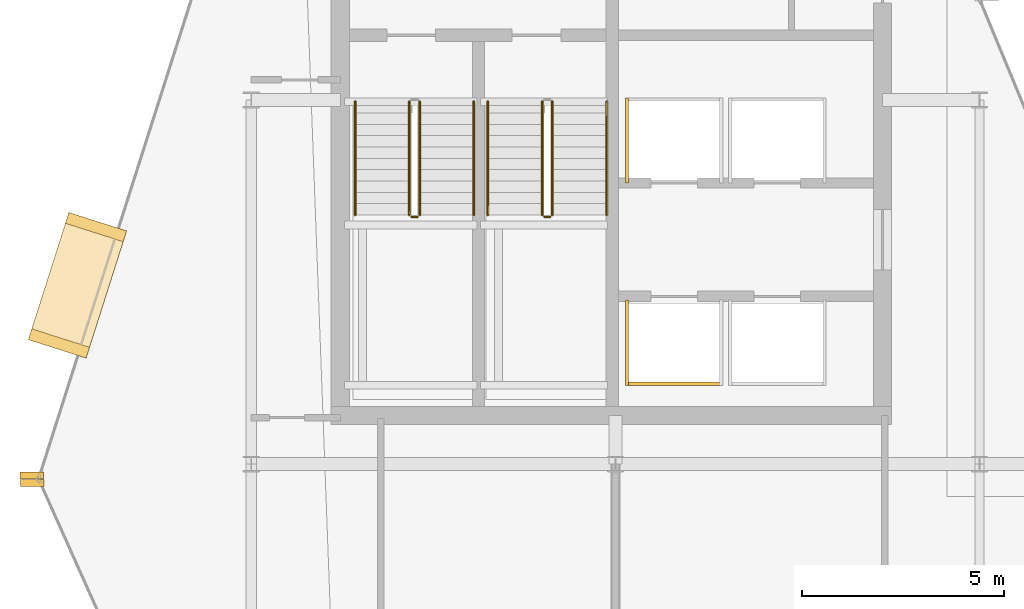
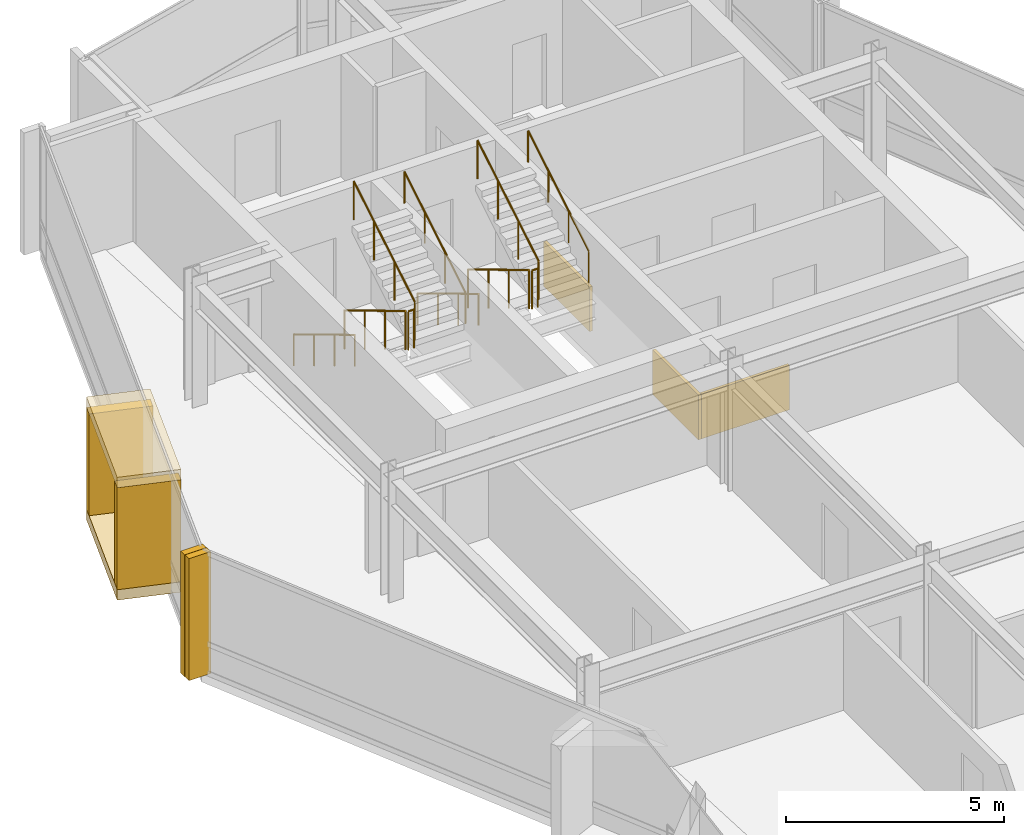
# One storey, part 17 of 19: 10 railings, 9 coverings.
"""IFC4 building model written with IfcOpenShell, lengths in metres."""

from ifc_helpers import new_model, si_unit, direction, frame, origin, origin_2d, place, context, subcontext, project, spatial, rectangle, circle, extrude, material, layer, layer_set, type_object, element, save


model = new_model("IFC4")

# Units and contexts
model_context = context("Model", 3, precision=1e-05, world=origin(), true_north=direction((0.0, 1.0)))
body_context = subcontext(model_context, "Body", "Model", "MODEL_VIEW")
ifc_project = project(units=[si_unit("LENGTHUNIT", "METRE"), si_unit("AREAUNIT", "SQUARE_METRE"), si_unit("VOLUMEUNIT", "CUBIC_METRE"), si_unit("PLANEANGLEUNIT", "RADIAN"), si_unit("MASSUNIT", "GRAM", prefix="KILO")], contexts=[model_context])

# Site, building, storey
site_placement = place(None, origin())
site = spatial("IfcSite", under=ifc_project, at=site_placement, CompositionType="ELEMENT")
building_placement = place(site_placement, origin())
building = spatial("IfcBuilding", under=site, at=building_placement, Name="Solvaryn Broadcast Tower", CompositionType="ELEMENT")
storey_placement = place(building_placement, frame((0.0, 0.0, 263.0)))
storey = spatial("IfcBuildingStorey", under=building, at=storey_placement, Name="L66", CompositionType="ELEMENT", Elevation=263.0)

# Coverings
ifc_material_1 = material(Name="Fire-Rated Gypsum Shaftwall Liner", Category="concrete")
ifc_layer_1 = layer(ifc_material_1, 0.080078125)
ifc_layer_set_1 = layer_set([ifc_layer_1], Name="CV-SHAFT-LINER")
covering_type_1 = type_object("IfcCoveringType", Name="CV-SHAFT-LINER", PredefinedType="CLADDING", material=ifc_layer_set_1)
covering_placement = place(storey_placement, frame((19.449951171875, 28.985107421875, 0.0), z_axis=(0.0, 0.0, 1.0), x_axis=(1.0, 0.0, 0.0)))
element("IfcCovering", 1, at=covering_placement, inside=storey, type_object=covering_type_1, Name="L66 PH1 Hoistway Shaft Liner South", PredefinedType="CLADDING", context=body_context, shape_type="SweptSolid", body=[
    extrude(rectangle(XDim=2.409912109375, YDim=0.080078125, at=origin_2d()), origin(), (0.0, 0.0, 1.0), 1.25),
])
for number, where, z_axis, x_axis, name in (
    (2, (18.284912109375, 30.0, 0.0), (0.0, 0.0, 1.0), (1.0, 0.0, 0.0), "L66 PH1 Hoistway Shaft Liner West"),
    (3, (18.284912109375, 35.0, 0.0), (0.0, 0.0, 1.0), (1.0, 0.0, 0.0), "L66 PH3 Hoistway Shaft Liner West"),
):
    element("IfcCovering", number, at=place(storey_placement, frame(where, z_axis=z_axis, x_axis=x_axis)), inside=storey, type_object=covering_type_1, Name=name, PredefinedType="CLADDING", context=body_context, shape_type="SweptSolid", body=[
        extrude(rectangle(XDim=0.080078125, YDim=2.110107421875, at=origin_2d()), origin(), (0.0, 0.0, 1.0), 1.25),
    ])
ifc_material_2 = material(Name="Glazed Architectural Terracotta Rainscreen Cladding", Category="masonry")
ifc_layer_2 = layer(ifc_material_2, 0.280029296875)
ifc_layer_set_2 = layer_set([ifc_layer_2], Name="CV-TC-CLAD")
covering_type_2 = type_object("IfcCoveringType", Name="CV-TC-CLAD", PredefinedType="CLADDING", material=ifc_layer_set_2)
for number, where, z_axis, x_axis, name in (
    (4, (4.7060546875, 31.4208984375, 3.1298828125), (0.0, 0.0, 1.0), (-0.303534206887, -0.952820541996, 0.0), "L66 Projecting Stone Window Box Hood 1"),
    (5, (4.7060546875, 31.4208984375, -0.01025390625), (0.0, 0.0, 1.0), (-0.303534206887, -0.952820541996, 0.0), "L66 Projecting Stone Window Box Sill 1"),
):
    element("IfcCovering", number, at=place(storey_placement, frame(where, z_axis=z_axis, x_axis=x_axis)), inside=storey, type_object=covering_type_2, Name=name, PredefinedType="CLADDING", context=body_context, shape_type="SweptSolid", body=[
        extrude(rectangle(XDim=3.300048828125, YDim=1.5, at=origin_2d()), origin(), (0.0, 0.0, 1.0), 0.300048828125),
    ])
for number, where, z_axis, x_axis, name in (
    (6, (5.164306640625, 32.85986328125, 0.27978515625), (0.0, 0.0, 1.0), (-0.303534206887, -0.952820541996, 0.0), "L66 Projecting Stone Window Box Cheek 1-1"),
    (7, (4.247802734375, 29.982177734375, 0.27978515625), (0.0, 0.0, 1.0), (-0.303534206887, -0.952820541996, 0.0), "L66 Projecting Stone Window Box Cheek 1-2"),
):
    element("IfcCovering", number, at=place(storey_placement, frame(where, z_axis=z_axis, x_axis=x_axis)), inside=storey, type_object=covering_type_2, Name=name, PredefinedType="CLADDING", context=body_context, shape_type="SweptSolid", body=[
        extrude(rectangle(XDim=0.280029296875, YDim=1.5, at=origin_2d()), origin(), (0.0, 0.0, 1.0), 2.860107421875),
    ])
ifc_material_3 = material(Name="Extruded Architectural Terracotta Fin", Category="masonry")
ifc_layer_3 = layer(ifc_material_3, 0.179931640625)
ifc_layer_set_3 = layer_set([ifc_layer_3], Name="CV-TC-FIN")
covering_type_3 = type_object("IfcCoveringType", Name="CV-TC-FIN", PredefinedType="USERDEFINED", material=ifc_layer_set_3)
for number, where, z_axis, x_axis, name in (
    (8, (3.575439453125, 26.71923828125, 0.0), (0.0, 0.0, 1.0), (1.0, 0.0, 0.0), "L66 Terracotta Vertical Fin FIN-L66-DR1-M01"),
    (9, (3.5859375, 26.53515625, 0.0), (0.0, 0.0, 1.0), (1.0, 0.0, 0.0), "L66 Terracotta Vertical Fin FIN-L66-DR2-M00"),
):
    element("IfcCovering", number, at=place(storey_placement, frame(where, z_axis=z_axis, x_axis=x_axis)), inside=storey, type_object=covering_type_3, Name=name, ObjectType="FIN", PredefinedType="USERDEFINED", context=body_context, shape_type="SweptSolid", body=[
        extrude(rectangle(XDim=0.580078125, YDim=0.179931640625, at=origin_2d()), origin(), (0.0, 0.0, 1.0), 3.419921875),
    ])

# Railings
ifc_material_4 = material(Name="Painted Steel Stair Well Guard", Category="steel")
railing_type_1 = type_object("IfcRailingType", Name="RL-STAIR-GUARD", PredefinedType="BALUSTRADE", material=ifc_material_4)
railing_1_placement = place(storey_placement, frame((12.909912109375, 35.9599609375, 0.168212890625)))
element("IfcRailing", 10, at=railing_1_placement, inside=storey, type_object=railing_type_1, Name="L66 ST1 stair guard 1", PredefinedType="BALUSTRADE", context=body_context, shape_type="SweptSolid", body=[
    extrude(circle(Radius=0.02392578125, at=origin_2d()), frame((0.0, 0.0, 1.076171875), z_axis=(0.0, -0.857242210791, 0.514913383045), x_axis=(1.0, 0.0, 0.0)), (0.0, 0.0, 1.0), 3.266357421875),
    extrude(circle(Radius=0.02099609375, at=origin_2d()), origin(), (0.0, 0.0, 1.0), 1.052001953125),
    extrude(circle(Radius=0.02099609375, at=origin_2d()), frame((0.0, -0.933349609375, 0.560546875)), (0.0, 0.0, 1.0), 1.052001953125),
    extrude(circle(Radius=0.02099609375, at=origin_2d()), frame((0.0, -1.86669921875, 1.121337890625)), (0.0, 0.0, 1.0), 1.052001953125),
    extrude(circle(Radius=0.02099609375, at=origin_2d()), frame((0.0, -2.800048828125, 1.681884765625)), (0.0, 0.0, 1.0), 1.052001953125),
])
railing_2_placement = place(storey_placement, frame((12.9599609375, 33.110107421875, 1.85009765625)))
element("IfcRailing", 11, at=railing_2_placement, inside=storey, type_object=railing_type_1, Name="L66 ST1 stair guard 2", PredefinedType="BALUSTRADE", context=body_context, shape_type="SweptSolid", body=[
    extrude(circle(Radius=0.02392578125, at=origin_2d()), frame((0.0, 0.0, 1.076171875), z_axis=(1.0, 0.0, 0.0), x_axis=(0.0, 1.0, 0.0)), (0.0, 0.0, 1.0), 0.150146484375),
    extrude(circle(Radius=0.02099609375, at=origin_2d()), origin(), (0.0, 0.0, 1.0), 1.052001953125),
    extrude(circle(Radius=0.02099609375, at=origin_2d()), frame((0.150146484375, 0.0, 0.0)), (0.0, 0.0, 1.0), 1.052001953125),
])
railing_3_placement = place(storey_placement, frame((13.159912109375, 33.159912109375, 2.01806640625)))
element("IfcRailing", 12, at=railing_3_placement, inside=storey, type_object=railing_type_1, Name="L66 ST1 stair guard 3", PredefinedType="BALUSTRADE", context=body_context, shape_type="SweptSolid", body=[
    extrude(circle(Radius=0.02392578125, at=origin_2d()), frame((0.0, 0.0, 1.076171875), z_axis=(0.0, 0.857242210791, 0.514913383045), x_axis=(-1.0, 0.0, 0.0)), (0.0, 0.0, 1.0), 3.266357421875),
    extrude(circle(Radius=0.02099609375, at=origin_2d()), origin(), (0.0, 0.0, 1.0), 1.052001953125),
    extrude(circle(Radius=0.02099609375, at=origin_2d()), frame((0.0, 0.933349609375, 0.560546875)), (0.0, 0.0, 1.0), 1.052001953125),
    extrude(circle(Radius=0.02099609375, at=origin_2d()), frame((0.0, 1.86669921875, 1.121337890625)), (0.0, 0.0, 1.0), 1.052001953125),
    extrude(circle(Radius=0.02099609375, at=origin_2d()), frame((0.0, 2.800048828125, 1.681884765625)), (0.0, 0.0, 1.0), 1.052001953125),
])
railing_4_placement = place(storey_placement, frame((16.18994140625, 35.9599609375, 0.168212890625)))
element("IfcRailing", 13, at=railing_4_placement, inside=storey, type_object=railing_type_1, Name="L66 ST2 stair guard 1", PredefinedType="BALUSTRADE", context=body_context, shape_type="SweptSolid", body=[
    extrude(circle(Radius=0.02392578125, at=origin_2d()), frame((0.0, 0.0, 1.076171875), z_axis=(0.0, -0.857242210791, 0.514913383045), x_axis=(1.0, 0.0, 0.0)), (0.0, 0.0, 1.0), 3.266357421875),
    extrude(circle(Radius=0.02099609375, at=origin_2d()), origin(), (0.0, 0.0, 1.0), 1.052001953125),
    extrude(circle(Radius=0.02099609375, at=origin_2d()), frame((0.0, -0.933349609375, 0.560546875)), (0.0, 0.0, 1.0), 1.052001953125),
    extrude(circle(Radius=0.02099609375, at=origin_2d()), frame((0.0, -1.86669921875, 1.121337890625)), (0.0, 0.0, 1.0), 1.052001953125),
    extrude(circle(Radius=0.02099609375, at=origin_2d()), frame((0.0, -2.800048828125, 1.681884765625)), (0.0, 0.0, 1.0), 1.052001953125),
])
railing_5_placement = place(storey_placement, frame((16.239990234375, 33.110107421875, 1.85009765625)))
element("IfcRailing", 14, at=railing_5_placement, inside=storey, type_object=railing_type_1, Name="L66 ST2 stair guard 2", PredefinedType="BALUSTRADE", context=body_context, shape_type="SweptSolid", body=[
    extrude(circle(Radius=0.02392578125, at=origin_2d()), frame((0.0, 0.0, 1.076171875), z_axis=(1.0, 0.0, 0.0), x_axis=(0.0, 1.0, 0.0)), (0.0, 0.0, 1.0), 0.14990234375),
    extrude(circle(Radius=0.02099609375, at=origin_2d()), origin(), (0.0, 0.0, 1.0), 1.052001953125),
    extrude(circle(Radius=0.02099609375, at=origin_2d()), frame((0.14990234375, 0.0, 0.0)), (0.0, 0.0, 1.0), 1.052001953125),
])
railing_6_placement = place(storey_placement, frame((16.43994140625, 33.159912109375, 2.01806640625)))
element("IfcRailing", 15, at=railing_6_placement, inside=storey, type_object=railing_type_1, Name="L66 ST2 stair guard 3", PredefinedType="BALUSTRADE", context=body_context, shape_type="SweptSolid", body=[
    extrude(circle(Radius=0.02392578125, at=origin_2d()), frame((0.0, 0.0, 1.076171875), z_axis=(0.0, 0.857242210791, 0.514913383045), x_axis=(-1.0, 0.0, 0.0)), (0.0, 0.0, 1.0), 3.266357421875),
    extrude(circle(Radius=0.02099609375, at=origin_2d()), origin(), (0.0, 0.0, 1.0), 1.052001953125),
    extrude(circle(Radius=0.02099609375, at=origin_2d()), frame((0.0, 0.933349609375, 0.560546875)), (0.0, 0.0, 1.0), 1.052001953125),
    extrude(circle(Radius=0.02099609375, at=origin_2d()), frame((0.0, 1.86669921875, 1.121337890625)), (0.0, 0.0, 1.0), 1.052001953125),
    extrude(circle(Radius=0.02099609375, at=origin_2d()), frame((0.0, 2.800048828125, 1.681884765625)), (0.0, 0.0, 1.0), 1.052001953125),
])
ifc_material_5 = material(Name="Brushed Stainless Steel Tubular Handrail", Category="steel")
railing_type_2 = type_object("IfcRailingType", Name="RL-STAIR-HANDRAIL", PredefinedType="HANDRAIL", material=ifc_material_5)
railing_7_placement = place(storey_placement, frame((11.570068359375, 35.9599609375, 0.168212890625)))
element("IfcRailing", 16, at=railing_7_placement, inside=storey, type_object=railing_type_2, Name="L66 ST1 stair handrail 1", PredefinedType="HANDRAIL", context=body_context, shape_type="SweptSolid", body=[
    extrude(circle(Radius=0.02392578125, at=origin_2d()), frame((0.0, 0.0, 0.8759765625), z_axis=(0.0, -0.857242210791, 0.514913383045), x_axis=(1.0, 0.0, 0.0)), (0.0, 0.0, 1.0), 3.266357421875),
    extrude(circle(Radius=0.02099609375, at=origin_2d()), origin(), (0.0, 0.0, 1.0), 0.851806640625),
    extrude(circle(Radius=0.02099609375, at=origin_2d()), frame((0.0, -0.933349609375, 0.560546875)), (0.0, 0.0, 1.0), 0.851806640625),
    extrude(circle(Radius=0.02099609375, at=origin_2d()), frame((0.0, -1.86669921875, 1.121337890625)), (0.0, 0.0, 1.0), 0.851806640625),
    extrude(circle(Radius=0.02099609375, at=origin_2d()), frame((0.0, -2.800048828125, 1.681884765625)), (0.0, 0.0, 1.0), 0.851806640625),
])
railing_8_placement = place(storey_placement, frame((14.5, 33.159912109375, 2.01806640625)))
element("IfcRailing", 17, at=railing_8_placement, inside=storey, type_object=railing_type_2, Name="L66 ST1 stair handrail 2", PredefinedType="HANDRAIL", context=body_context, shape_type="SweptSolid", body=[
    extrude(circle(Radius=0.02392578125, at=origin_2d()), frame((0.0, 0.0, 0.8759765625), z_axis=(0.0, 0.857242210791, 0.514913383045), x_axis=(-1.0, 0.0, 0.0)), (0.0, 0.0, 1.0), 3.266357421875),
    extrude(circle(Radius=0.02099609375, at=origin_2d()), origin(), (0.0, 0.0, 1.0), 0.851806640625),
    extrude(circle(Radius=0.02099609375, at=origin_2d()), frame((0.0, 0.933349609375, 0.560546875)), (0.0, 0.0, 1.0), 0.851806640625),
    extrude(circle(Radius=0.02099609375, at=origin_2d()), frame((0.0, 1.86669921875, 1.121337890625)), (0.0, 0.0, 1.0), 0.851806640625),
    extrude(circle(Radius=0.02099609375, at=origin_2d()), frame((0.0, 2.800048828125, 1.681884765625)), (0.0, 0.0, 1.0), 0.851806640625),
])
railing_9_placement = place(storey_placement, frame((14.85009765625, 35.9599609375, 0.168212890625)))
element("IfcRailing", 18, at=railing_9_placement, inside=storey, type_object=railing_type_2, Name="L66 ST2 stair handrail 1", PredefinedType="HANDRAIL", context=body_context, shape_type="SweptSolid", body=[
    extrude(circle(Radius=0.02392578125, at=origin_2d()), frame((0.0, 0.0, 0.8759765625), z_axis=(0.0, -0.857242210791, 0.514913383045), x_axis=(1.0, 0.0, 0.0)), (0.0, 0.0, 1.0), 3.266357421875),
    extrude(circle(Radius=0.02099609375, at=origin_2d()), origin(), (0.0, 0.0, 1.0), 0.851806640625),
    extrude(circle(Radius=0.02099609375, at=origin_2d()), frame((0.0, -0.933349609375, 0.560546875)), (0.0, 0.0, 1.0), 0.851806640625),
    extrude(circle(Radius=0.02099609375, at=origin_2d()), frame((0.0, -1.86669921875, 1.121337890625)), (0.0, 0.0, 1.0), 0.851806640625),
    extrude(circle(Radius=0.02099609375, at=origin_2d()), frame((0.0, -2.800048828125, 1.681884765625)), (0.0, 0.0, 1.0), 0.851806640625),
])
railing_10_placement = place(storey_placement, frame((17.780029296875, 33.159912109375, 2.01806640625)))
element("IfcRailing", 19, at=railing_10_placement, inside=storey, type_object=railing_type_2, Name="L66 ST2 stair handrail 2", PredefinedType="HANDRAIL", context=body_context, shape_type="SweptSolid", body=[
    extrude(circle(Radius=0.02392578125, at=origin_2d()), frame((0.0, 0.0, 0.8759765625), z_axis=(0.0, 0.857242210791, 0.514913383045), x_axis=(-1.0, 0.0, 0.0)), (0.0, 0.0, 1.0), 3.266357421875),
    extrude(circle(Radius=0.02099609375, at=origin_2d()), origin(), (0.0, 0.0, 1.0), 0.851806640625),
    extrude(circle(Radius=0.02099609375, at=origin_2d()), frame((0.0, 0.933349609375, 0.560546875)), (0.0, 0.0, 1.0), 0.851806640625),
    extrude(circle(Radius=0.02099609375, at=origin_2d()), frame((0.0, 1.86669921875, 1.121337890625)), (0.0, 0.0, 1.0), 0.851806640625),
    extrude(circle(Radius=0.02099609375, at=origin_2d()), frame((0.0, 2.800048828125, 1.681884765625)), (0.0, 0.0, 1.0), 0.851806640625),
])

save(model, "model.ifc")
